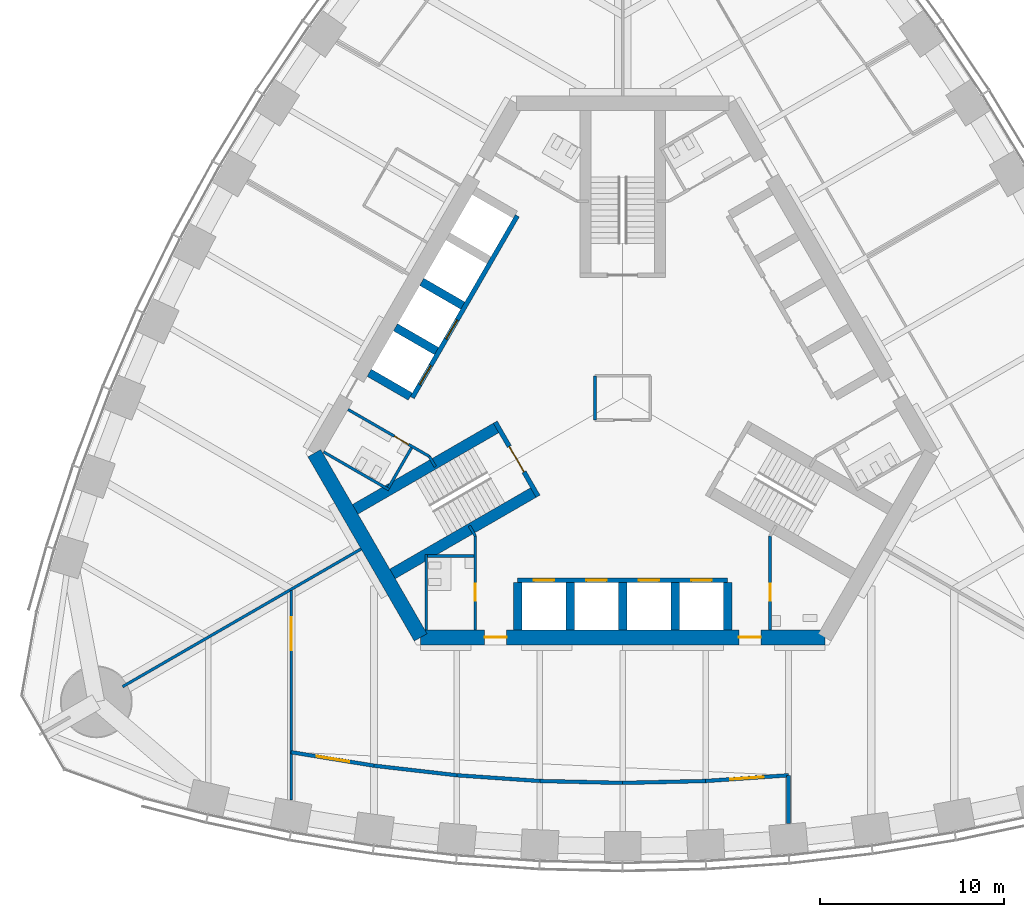
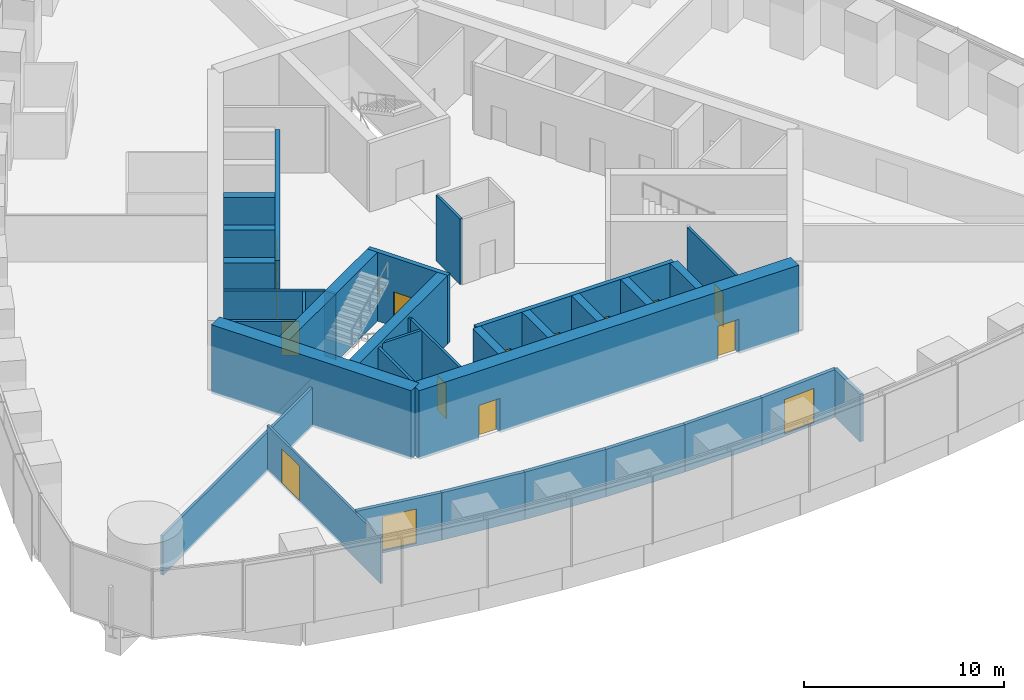
# One storey, part 11 of 18: 34 walls, 15 doors, 15 openings.
"""IFC4 building model written with IfcOpenShell, lengths in metres."""

from ifc_helpers import new_model, si_unit, direction, frame, frame_2d, origin, place, context, subcontext, project, spatial, rectangle, extrude, material, layer, layer_set, type_object, element, fill, save


model = new_model("IFC4")

# Units and contexts
model_context = context("Model", 3, precision=1e-05, world=origin(), true_north=direction((0.0, 1.0)))
body_context = subcontext(model_context, "Body", "Model", "MODEL_VIEW")
ifc_project = project(units=[si_unit("LENGTHUNIT", "METRE"), si_unit("AREAUNIT", "SQUARE_METRE"), si_unit("VOLUMEUNIT", "CUBIC_METRE"), si_unit("PLANEANGLEUNIT", "RADIAN"), si_unit("MASSUNIT", "GRAM", prefix="KILO")], contexts=[model_context])

# Site, building, storey
site_placement = place(None, origin())
site = spatial("IfcSite", under=ifc_project, at=site_placement, CompositionType="ELEMENT")
building_placement = place(site_placement, origin())
building = spatial("IfcBuilding", under=site, at=building_placement, Name="Trefoil Bronze Tower", CompositionType="ELEMENT")
storey_placement = place(building_placement, frame((0.0, 0.0, 198.10009765625)))
storey = spatial("IfcBuildingStorey", under=building, at=storey_placement, Name="L45", CompositionType="ELEMENT", Elevation=198.10009765625)

# Wall
ifc_material_1 = material(Name="Gypsum board on steel studs", Category="steel")
ifc_layer_1 = layer(ifc_material_1, 0.199951171875)
ifc_layer_set_1 = layer_set([ifc_layer_1], Name="Acoustic partition 200")
wall_type_1 = type_object("IfcWallType", Name="Acoustic partition 200", PredefinedType="PARTITIONING", material=ifc_layer_set_1)
wall_1_placement = place(storey_placement, frame((0.0, -20.900634765625, 0.0), z_axis=(0.0, 0.0, 1.0), x_axis=(0.99973552509, 0.022997388381, 0.0)))
element("IfcWall", 1, at=wall_1_placement, inside=storey, type_object=wall_type_1, Name="Partition F1 L45", PredefinedType="PARTITIONING", context=body_context, shape_type="SweptSolid", body=[
    extrude(rectangle(XDim=4.501220703125, YDim=0.199951171875, at=frame_2d((2.25048828125, 0.0))), origin(), (0.0, 0.0, 1.0), 2.89990234375),
])

# Wall, opening, door
wall_2_placement = place(storey_placement, frame((4.5, -20.797119140625, 0.0), z_axis=(0.0, 0.0, 1.0), x_axis=(0.997623533978, 0.068900540297, 0.0)))
wall_2 = element("IfcWall", 2, at=wall_2_placement, inside=storey, type_object=wall_type_1, Name="Partition F1 L45", PredefinedType="PARTITIONING", context=body_context, shape_type="SweptSolid", body=[
    extrude(rectangle(XDim=4.5107421875, YDim=0.199951171875, at=frame_2d((2.25537109375, 0.0))), origin(), (0.0, 0.0, 1.0), 2.89990234375),
])
opening_1_placement = place(wall_2_placement, frame((1.35009765625, 0.0, 0.14990234375)))
opening_1 = element("IfcOpeningElement", 3, at=opening_1_placement, cuts=wall_2, Name="Opening D10", PredefinedType="OPENING", context=body_context, shape_type="SweptSolid", body=[
    extrude(rectangle(XDim=1.800048828125, YDim=2.10009765625, at=frame_2d((0.89990234375, 1.050048828125))), frame((0.0, 0.10986328125, 0.0), z_axis=(0.0, -1.0, 0.0), x_axis=(1.0, 0.0, 0.0)), (0.0, 0.0, 1.0), 0.219970703125),
])
ifc_material_2 = material(Name="Timber door", Category="wood")
door_type_1 = type_object("IfcDoorType", Name="Double door 1800", OperationType="DOUBLE_DOOR_SINGLE_SWING", PredefinedType="DOOR", material=ifc_material_2)
door_1_placement = place(opening_1_placement, origin())
door_1 = element("IfcDoor", 4, at=door_1_placement, inside=storey, type_object=door_type_1, Name="Town hall door F1 L45", OperationType="DOUBLE_DOOR_SINGLE_SWING", OverallHeight=2.10009765625, OverallWidth=1.800048828125, PredefinedType="DOOR", context=body_context, shape_type="SweptSolid", body=[
    extrude(rectangle(XDim=1.800048828125, YDim=2.10009765625, at=frame_2d((0.89990234375, 1.050048828125))), frame((0.0, 0.02490234375, 0.0), z_axis=(0.0, -1.0, 0.0), x_axis=(1.0, 0.0, 0.0)), (0.0, 0.0, 1.0), 0.050048828125),
])
fill(opening_1, door_1)

# Wall
wall_3_placement = place(storey_placement, frame((-13.5, -19.966064453125, 0.0), z_axis=(0.0, 0.0, 1.0), x_axis=(0.993382946625, -0.114849124309, 0.0)))
element("IfcWall", 5, at=wall_3_placement, inside=storey, type_object=wall_type_1, Name="Partition F1 L45", PredefinedType="PARTITIONING", context=body_context, shape_type="SweptSolid", body=[
    extrude(rectangle(XDim=4.530029296875, YDim=0.199951171875, at=frame_2d((2.26513671875, 0.0))), origin(), (0.0, 0.0, 1.0), 2.89990234375),
])

# Wall, opening, door
wall_4_placement = place(storey_placement, frame((-18.0, -19.23291015625, 0.0), z_axis=(0.0, 0.0, 1.0), x_axis=(0.986986525477, -0.160802980469, 0.0)))
wall_4 = element("IfcWall", 6, at=wall_4_placement, inside=storey, type_object=wall_type_1, Name="Partition F1 L45", PredefinedType="PARTITIONING", context=body_context, shape_type="SweptSolid", body=[
    extrude(rectangle(XDim=4.559326171875, YDim=0.199951171875, at=frame_2d((2.27978515625, 0.0))), origin(), (0.0, 0.0, 1.0), 2.89990234375),
])
opening_2_placement = place(wall_4_placement, frame((1.39990234375, 0.0, 0.14990234375)))
opening_2 = element("IfcOpeningElement", 7, at=opening_2_placement, cuts=wall_4, Name="Opening D10", PredefinedType="OPENING", context=body_context, shape_type="SweptSolid", body=[
    extrude(rectangle(XDim=1.800048828125, YDim=2.10009765625, at=frame_2d((0.89990234375, 1.050048828125))), frame((0.0, 0.10986328125, 0.0), z_axis=(0.0, -1.0, 0.0), x_axis=(1.0, 0.0, 0.0)), (0.0, 0.0, 1.0), 0.219970703125),
])
door_2_placement = place(opening_2_placement, origin())
door_2 = element("IfcDoor", 8, at=door_2_placement, inside=storey, type_object=door_type_1, Name="Town hall door F1 L45", OperationType="DOUBLE_DOOR_SINGLE_SWING", OverallHeight=2.10009765625, OverallWidth=1.800048828125, PredefinedType="DOOR", context=body_context, shape_type="SweptSolid", body=[
    extrude(rectangle(XDim=1.800048828125, YDim=2.10009765625, at=frame_2d((0.89990234375, 1.050048828125))), frame((0.0, 0.02490234375, 0.0), z_axis=(0.0, -1.0, 0.0), x_axis=(1.0, 0.0, 0.0)), (0.0, 0.0, 1.0), 0.050048828125),
])
fill(opening_2, door_2)

# Walls
wall_5_placement = place(storey_placement, frame((-4.5, -20.797119140625, 0.0), z_axis=(0.0, 0.0, 1.0), x_axis=(0.99973552509, -0.022997388381, 0.0)))
element("IfcWall", 9, at=wall_5_placement, inside=storey, type_object=wall_type_1, Name="Partition F1 L45", PredefinedType="PARTITIONING", context=body_context, shape_type="SweptSolid", body=[
    extrude(rectangle(XDim=4.501220703125, YDim=0.199951171875, at=frame_2d((2.25048828125, 0.0))), origin(), (0.0, 0.0, 1.0), 2.89990234375),
])
wall_6_placement = place(storey_placement, frame((-9.0, -20.486328125, 0.0), z_axis=(0.0, 0.0, 1.0), x_axis=(0.997623533978, -0.068900540297, 0.0)))
element("IfcWall", 10, at=wall_6_placement, inside=storey, type_object=wall_type_1, Name="Partition F1 L45", PredefinedType="PARTITIONING", context=body_context, shape_type="SweptSolid", body=[
    extrude(rectangle(XDim=4.5107421875, YDim=0.199951171875, at=frame_2d((2.25537109375, 0.0))), origin(), (0.0, 0.0, 1.0), 2.89990234375),
])
wall_7_placement = place(storey_placement, frame((9.0, -20.486328125, 0.0), z_axis=(0.0, 0.0, 1.0), x_axis=(0.0, -1.0, 0.0)))
element("IfcWall", 11, at=wall_7_placement, inside=storey, type_object=wall_type_1, Name="Partition F1 L45", PredefinedType="PARTITIONING", context=body_context, shape_type="SweptSolid", body=[
    extrude(rectangle(XDim=2.61328125, YDim=0.199951171875, at=frame_2d((1.306640625, 0.0))), origin(), (0.0, 0.0, 1.0), 2.89990234375),
])

# Wall, openings, doors
ifc_material_3 = material(Name="Concrete B80", Category="concrete")
ifc_layer_2 = layer(ifc_material_3, 0.800048828125)
ifc_layer_set_2 = layer_set([ifc_layer_2], Name="Core wall 800")
wall_type_2 = type_object("IfcWallType", Name="Core wall 800", PredefinedType="SHEAR", material=ifc_layer_set_2)
wall_8_placement = place(storey_placement, frame((-10.9697265625, -13.0, 0.0), z_axis=(0.0, 0.0, 1.0), x_axis=(1.0, 0.0, 0.0)))
wall_8 = element("IfcWall", 12, at=wall_8_placement, inside=storey, type_object=wall_type_2, Name="Core long wall 1 L45", PredefinedType="SHEAR", context=body_context, shape_type="SweptSolid", body=[
    extrude(rectangle(XDim=21.939453125, YDim=0.800048828125, at=frame_2d((10.9697265625, 0.0))), origin(), (0.0, 0.0, 1.0), 4.199951171875),
])
opening_3_placement = place(wall_8_placement, frame((17.269775390625, 0.0, 0.0)))
opening_3 = element("IfcOpeningElement", 13, at=opening_3_placement, cuts=wall_8, Name="Opening D2", PredefinedType="OPENING", context=body_context, shape_type="SweptSolid", body=[
    extrude(rectangle(XDim=1.199951171875, YDim=2.10009765625, at=frame_2d((0.60009765625, 1.050048828125))), frame((0.0, 0.409912109375, 0.0), z_axis=(0.0, -1.0, 0.0), x_axis=(1.0, 0.0, 0.0)), (0.0, 0.0, 1.0), 0.820068359375),
])
opening_4_placement = place(wall_8_placement, frame((3.4697265625, 0.0, 0.0)))
opening_4 = element("IfcOpeningElement", 14, at=opening_4_placement, cuts=wall_8, Name="Opening D2", PredefinedType="OPENING", context=body_context, shape_type="SweptSolid", body=[
    extrude(rectangle(XDim=1.199951171875, YDim=2.10009765625, at=frame_2d((0.60009765625, 1.050048828125))), frame((0.0, 0.409912109375, 0.0), z_axis=(0.0, -1.0, 0.0), x_axis=(1.0, 0.0, 0.0)), (0.0, 0.0, 1.0), 0.820068359375),
])
ifc_material_4 = material(Name="Steel door", Category="steel")
door_type_2 = type_object("IfcDoorType", Name="Lobby door 1200", OperationType="SINGLE_SWING_RIGHT", PredefinedType="DOOR", material=ifc_material_4)
door_3_placement = place(opening_3_placement, origin())
door_3 = element("IfcDoor", 15, at=door_3_placement, inside=storey, type_object=door_type_2, Name="Lobby door F1+ L45", OperationType="SINGLE_SWING_RIGHT", OverallHeight=2.10009765625, OverallWidth=1.199951171875, PredefinedType="DOOR", context=body_context, shape_type="SweptSolid", body=[
    extrude(rectangle(XDim=1.199951171875, YDim=2.10009765625, at=frame_2d((0.60009765625, 1.050048828125))), frame((0.0, 0.02490234375, 0.0), z_axis=(0.0, -1.0, 0.0), x_axis=(1.0, 0.0, 0.0)), (0.0, 0.0, 1.0), 0.050048828125),
])
fill(opening_3, door_3)
door_4_placement = place(opening_4_placement, origin())
door_4 = element("IfcDoor", 16, at=door_4_placement, inside=storey, type_object=door_type_2, Name="Lobby door F1- L45", OperationType="SINGLE_SWING_LEFT", OverallHeight=2.10009765625, OverallWidth=1.199951171875, PredefinedType="DOOR", context=body_context, shape_type="SweptSolid", body=[
    extrude(rectangle(XDim=1.199951171875, YDim=2.10009765625, at=frame_2d((0.60009765625, 1.050048828125))), frame((0.0, 0.02490234375, 0.0), z_axis=(0.0, -1.0, 0.0), x_axis=(1.0, 0.0, 0.0)), (0.0, 0.0, 1.0), 0.050048828125),
])
fill(opening_4, door_4)

# Wall
wall_9_placement = place(storey_placement, frame((-16.7431640625, -3.0, 0.0), z_axis=(0.0, 0.0, 1.0), x_axis=(0.499995765644, -0.866027848477, 0.0)))
element("IfcWall", 17, at=wall_9_placement, inside=storey, type_object=wall_type_2, Name="Core short wall 3 L45", PredefinedType="SHEAR", context=body_context, shape_type="SweptSolid", body=[
    extrude(rectangle(XDim=11.546875, YDim=0.800048828125, at=frame_2d((5.7734375, 0.0))), origin(), (0.0, 0.0, 1.0), 4.199951171875),
])

# Wall, opening, door
ifc_material_5 = material(Name="Glazed partition", Category="glass")
ifc_layer_3 = layer(ifc_material_5, 0.1201171875)
ifc_layer_set_3 = layer_set([ifc_layer_3], Name="Glazed partition 120")
wall_type_3 = type_object("IfcWallType", Name="Glazed partition 120", PredefinedType="PARTITIONING", material=ifc_layer_set_3)
wall_10_placement = place(storey_placement, frame((-18.0, -10.451416015625, 0.0), z_axis=(0.0, 0.0, 1.0), x_axis=(0.0, -1.0, 0.0)))
wall_10 = element("IfcWall", 18, at=wall_10_placement, inside=storey, type_object=wall_type_3, Name="Partition F1 L45", PredefinedType="PARTITIONING", context=body_context, shape_type="SweptSolid", body=[
    extrude(rectangle(XDim=11.37353515625, YDim=0.1201171875, at=frame_2d((5.686767578125, 0.0))), origin(), (0.0, 0.0, 1.0), 2.7998046875),
])
opening_5_placement = place(wall_10_placement, frame((1.449951171875, 0.0, 0.14990234375)))
opening_5 = element("IfcOpeningElement", 19, at=opening_5_placement, cuts=wall_10, Name="Opening D10", PredefinedType="OPENING", context=body_context, shape_type="SweptSolid", body=[
    extrude(rectangle(XDim=1.800048828125, YDim=2.10009765625, at=frame_2d((0.89990234375, 1.050048828125))), frame((0.0, 0.070068359375, 0.0), z_axis=(0.0, -1.0, 0.0), x_axis=(1.0, 0.0, 0.0)), (0.0, 0.0, 1.0), 0.14013671875),
])
door_5_placement = place(opening_5_placement, origin())
door_5 = element("IfcDoor", 20, at=door_5_placement, inside=storey, type_object=door_type_1, Name="Cafe and kitchen door F1 L45", OperationType="DOUBLE_DOOR_SINGLE_SWING", OverallHeight=2.10009765625, OverallWidth=1.800048828125, PredefinedType="DOOR", context=body_context, shape_type="SweptSolid", body=[
    extrude(rectangle(XDim=1.800048828125, YDim=2.10009765625, at=frame_2d((0.89990234375, 1.050048828125))), frame((0.0, 0.02490234375, 0.0), z_axis=(0.0, -1.0, 0.0), x_axis=(1.0, 0.0, 0.0)), (0.0, 0.0, 1.0), 0.050048828125),
])
fill(opening_5, door_5)

# Walls
ifc_material_6 = material(Name="Concrete B80", Category="concrete")
ifc_layer_4 = layer(ifc_material_6, 0.449951171875)
ifc_layer_set_4 = layer_set([ifc_layer_4], Name="Outrigger shaft wall 450")
wall_type_4 = type_object("IfcWallType", Name="Outrigger shaft wall 450", PredefinedType="SHEAR", material=ifc_layer_set_4)
for number, where, z_axis, x_axis, name in (
    (21, (-5.699951171875, -10.02490234375, 0.0), (0.0, 0.0, 1.0), (0.0, -1.0, 0.0), "Lift shaft side wall A0 L45"),
    (22, (-2.85009765625, -10.02490234375, 0.0), (0.0, 0.0, 1.0), (0.0, -1.0, 0.0), "Lift shaft side wall A1 L45"),
    (23, (0.0, -10.02490234375, 0.0), (0.0, 0.0, 1.0), (0.0, -1.0, 0.0), "Lift shaft side wall A2 L45"),
    (24, (2.85009765625, -10.02490234375, 0.0), (0.0, 0.0, 1.0), (0.0, -1.0, 0.0), "Lift shaft side wall A3 L45"),
    (25, (5.699951171875, -10.02490234375, 0.0), (0.0, 0.0, 1.0), (0.0, -1.0, 0.0), "Lift shaft side wall A4 L45"),
):
    element("IfcWall", number, at=place(storey_placement, frame(where, z_axis=z_axis, x_axis=x_axis)), inside=storey, type_object=wall_type_4, Name=name, PredefinedType="SHEAR", context=body_context, shape_type="SweptSolid", body=[
        extrude(rectangle(XDim=2.5751953125, YDim=0.449951171875, at=frame_2d((1.28759765625, 0.0))), origin(), (0.0, 0.0, 1.0), 4.199951171875),
    ])
for number, where, z_axis, x_axis, name in (
    (26, (-8.681884765625, 5.012451171875, 0.0), (0.0, 0.0, 1.0), (-0.866005588531, 0.500034319456, 0.0), "Lift shaft side wall C2 L45"),
    (27, (-10.10693359375, 2.54443359375, 0.0), (0.0, 0.0, 1.0), (-0.866046643894, 0.499963209246, 0.0), "Lift shaft side wall C3 L45"),
    (28, (-11.531982421875, 0.076171875, 0.0), (0.0, 0.0, 1.0), (-0.866005588531, 0.500034319456, 0.0), "Lift shaft side wall C4 L45"),
):
    element("IfcWall", number, at=place(storey_placement, frame(where, z_axis=z_axis, x_axis=x_axis)), inside=storey, type_object=wall_type_4, Name=name, PredefinedType="SHEAR", context=body_context, shape_type="SweptSolid", body=[
        extrude(rectangle(XDim=2.574951171875, YDim=0.449951171875, at=frame_2d((1.28759765625, 0.0))), origin(), (0.0, 0.0, 1.0), 4.199951171875),
    ])

# Wall, opening, door
ifc_material_7 = material(Name="Gypsum board on steel studs", Category="steel")
ifc_layer_5 = layer(ifc_material_7, 0.14990234375)
ifc_layer_set_5 = layer_set([ifc_layer_5], Name="Partition 150")
wall_type_5 = type_object("IfcWallType", Name="Partition 150", PredefinedType="PARTITIONING", material=ifc_layer_set_5)
wall_11_placement = place(storey_placement, frame((8.0, -7.5, 0.0), z_axis=(0.0, 0.0, 1.0), x_axis=(0.0, -1.0, 0.0)))
wall_11 = element("IfcWall", 29, at=wall_11_placement, inside=storey, type_object=wall_type_5, Name="Passage wall F1+ L45", PredefinedType="PARTITIONING", context=body_context, shape_type="SweptSolid", body=[
    extrude(rectangle(XDim=5.10009765625, YDim=0.14990234375, at=frame_2d((2.550048828125, 0.0))), origin(), (0.0, 0.0, 1.0), 4.0),
])
opening_6_placement = place(wall_11_placement, frame((2.60009765625, 0.0, 0.0)))
opening_6 = element("IfcOpeningElement", 30, at=opening_6_placement, cuts=wall_11, Name="Opening D3", PredefinedType="OPENING", context=body_context, shape_type="SweptSolid", body=[
    extrude(rectangle(XDim=0.89990234375, YDim=2.10009765625, at=frame_2d((0.449951171875, 1.050048828125))), frame((0.0, 0.0849609375, 0.0), z_axis=(0.0, -1.0, 0.0), x_axis=(1.0, 0.0, 0.0)), (0.0, 0.0, 1.0), 0.169921875),
])
ifc_material_8 = material(Name="Timber door", Category="wood")
door_type_3 = type_object("IfcDoorType", Name="WC door 900", OperationType="SINGLE_SWING_LEFT", PredefinedType="DOOR", material=ifc_material_8)
door_6_placement = place(opening_6_placement, origin())
door_6 = element("IfcDoor", 31, at=door_6_placement, inside=storey, type_object=door_type_3, Name="Accessible WC door L45", OperationType="SINGLE_SWING_RIGHT", OverallHeight=2.10009765625, OverallWidth=0.89990234375, PredefinedType="DOOR", context=body_context, shape_type="SweptSolid", body=[
    extrude(rectangle(XDim=0.89990234375, YDim=2.10009765625, at=frame_2d((0.449951171875, 1.050048828125))), frame((0.0, 0.02490234375, 0.0), z_axis=(0.0, -1.0, 0.0), x_axis=(1.0, 0.0, 0.0)), (0.0, 0.0, 1.0), 0.050048828125),
])
fill(opening_6, door_6)

wall_12_placement = place(storey_placement, frame((-8.0, -7.5, 0.0), z_axis=(0.0, 0.0, 1.0), x_axis=(0.0, -1.0, 0.0)))
wall_12 = element("IfcWall", 32, at=wall_12_placement, inside=storey, type_object=wall_type_5, Name="Passage wall F1- L45", PredefinedType="PARTITIONING", context=body_context, shape_type="SweptSolid", body=[
    extrude(rectangle(XDim=5.10009765625, YDim=0.14990234375, at=frame_2d((2.550048828125, 0.0))), origin(), (0.0, 0.0, 1.0), 4.0),
])
opening_7_placement = place(wall_12_placement, frame((2.60009765625, 0.0, 0.0)))
opening_7 = element("IfcOpeningElement", 33, at=opening_7_placement, cuts=wall_12, Name="Opening D3", PredefinedType="OPENING", context=body_context, shape_type="SweptSolid", body=[
    extrude(rectangle(XDim=0.89990234375, YDim=2.10009765625, at=frame_2d((0.449951171875, 1.050048828125))), frame((0.0, 0.0849609375, 0.0), z_axis=(0.0, -1.0, 0.0), x_axis=(1.0, 0.0, 0.0)), (0.0, 0.0, 1.0), 0.169921875),
])
door_7_placement = place(opening_7_placement, frame((0.89990234375, 0.0, 0.0), z_axis=(0.0, 0.0, 1.0), x_axis=(-1.0, 0.0, 0.0)))
door_7 = element("IfcDoor", 34, at=door_7_placement, inside=storey, type_object=door_type_3, Name="WC (women) door L45", OperationType="SINGLE_SWING_RIGHT", OverallHeight=2.10009765625, OverallWidth=0.89990234375, PredefinedType="DOOR", context=body_context, shape_type="SweptSolid", body=[
    extrude(rectangle(XDim=0.89990234375, YDim=2.10009765625, at=frame_2d((0.449951171875, 1.050048828125))), frame((0.0, 0.02490234375, 0.0), z_axis=(0.0, -1.0, 0.0), x_axis=(1.0, 0.0, 0.0)), (0.0, 0.0, 1.0), 0.050048828125),
])
fill(opening_7, door_7)

wall_13_placement = place(storey_placement, frame((-10.4951171875, -3.17822265625, 0.0), z_axis=(0.0, 0.0, 1.0), x_axis=(-0.86602216432, 0.500005610874, 0.0)))
wall_13 = element("IfcWall", 35, at=wall_13_placement, inside=storey, type_object=wall_type_5, Name="Passage wall F3+ L45", PredefinedType="PARTITIONING", context=body_context, shape_type="SweptSolid", body=[
    extrude(rectangle(XDim=5.10009765625, YDim=0.14990234375, at=frame_2d((2.550048828125, 0.0))), origin(), (0.0, 0.0, 1.0), 4.0),
])
opening_8_placement = place(wall_13_placement, frame((1.300048828125, 0.0, 0.0)))
opening_8 = element("IfcOpeningElement", 36, at=opening_8_placement, cuts=wall_13, Name="Opening D3", PredefinedType="OPENING", context=body_context, shape_type="SweptSolid", body=[
    extrude(rectangle(XDim=0.89990234375, YDim=2.10009765625, at=frame_2d((0.449951171875, 1.050048828125))), frame((0.0, 0.0849609375, 0.0), z_axis=(0.0, -1.0, 0.0), x_axis=(1.0, 0.0, 0.0)), (0.0, 0.0, 1.0), 0.169921875),
])
door_8_placement = place(opening_8_placement, origin())
door_8 = element("IfcDoor", 37, at=door_8_placement, inside=storey, type_object=door_type_3, Name="WC (men) door L45", OperationType="SINGLE_SWING_LEFT", OverallHeight=2.10009765625, OverallWidth=0.89990234375, PredefinedType="DOOR", context=body_context, shape_type="SweptSolid", body=[
    extrude(rectangle(XDim=0.89990234375, YDim=2.10009765625, at=frame_2d((0.449951171875, 1.050048828125))), frame((0.0, 0.02490234375, 0.0), z_axis=(0.0, -1.0, 0.0), x_axis=(1.0, 0.0, 0.0)), (0.0, 0.0, 1.0), 0.050048828125),
])
fill(opening_8, door_8)

# Walls
for number, where, z_axis, x_axis, name in (
    (38, (-10.4951171875, -3.17822265625, 0.0), (0.0, 0.0, 1.0), (0.499842556608, -0.866116284689, 0.0), "WC wall ST3-1 L45"),
    (39, (-8.0, -7.5, 0.0), (0.0, 0.0, 1.0), (-0.499842556608, 0.866116284689, 0.0), "WC wall ST3+1 L45"),
):
    element("IfcWall", number, at=place(storey_placement, frame(where, z_axis=z_axis, x_axis=x_axis)), inside=storey, type_object=wall_type_5, Name=name, PredefinedType="PARTITIONING", context=body_context, shape_type="SweptSolid", body=[
        extrude(rectangle(XDim=0.645263671875, YDim=0.14990234375, at=frame_2d((0.32275390625, 0.0))), origin(), (0.0, 0.0, 1.0), 4.0),
    ])
wall_14_placement = place(storey_placement, frame((-12.691162109375, -4.98193359375, 0.0), z_axis=(0.0, 0.0, 1.0), x_axis=(-0.8660249478, 0.500000789788, 0.0)))
element("IfcWall", 40, at=wall_14_placement, inside=storey, type_object=wall_type_5, Name="WC partition WC (men) L45", PredefinedType="PARTITIONING", context=body_context, shape_type="SweptSolid", body=[
    extrude(rectangle(XDim=4.10009765625, YDim=0.14990234375, at=frame_2d((2.050048828125, 0.0))), origin(), (0.0, 0.0, 1.0), 4.0),
])
wall_15_placement = place(storey_placement, frame((-11.463623046875, -2.70556640625, 0.0), z_axis=(0.0, 0.0, 1.0), x_axis=(-0.50001992892, -0.866013897511, 0.0)))
element("IfcWall", 41, at=wall_15_placement, inside=storey, type_object=wall_type_5, Name="WC partition WC (men) L45", PredefinedType="PARTITIONING", context=body_context, shape_type="SweptSolid", body=[
    extrude(rectangle(XDim=2.51025390625, YDim=0.14990234375, at=frame_2d((1.255126953125, 0.0))), origin(), (0.0, 0.0, 1.0), 4.0),
])
wall_16_placement = place(storey_placement, frame((-10.659912109375, -8.5, 0.0), z_axis=(0.0, 0.0, 1.0), x_axis=(0.0, -1.0, 0.0)))
element("IfcWall", 42, at=wall_16_placement, inside=storey, type_object=wall_type_5, Name="WC partition WC (women) L45", PredefinedType="PARTITIONING", context=body_context, shape_type="SweptSolid", body=[
    extrude(rectangle(XDim=4.10009765625, YDim=0.14990234375, at=frame_2d((2.050048828125, 0.0))), origin(), (0.0, 0.0, 1.0), 4.0),
])
wall_17_placement = place(storey_placement, frame((-8.074951171875, -8.574951171875, 0.0), z_axis=(0.0, 0.0, 1.0), x_axis=(-1.0, 0.0, 0.0)))
element("IfcWall", 43, at=wall_17_placement, inside=storey, type_object=wall_type_5, Name="WC partition WC (women) L45", PredefinedType="PARTITIONING", context=body_context, shape_type="SweptSolid", body=[
    extrude(rectangle(XDim=2.510009765625, YDim=0.14990234375, at=frame_2d((1.2548828125, 0.0))), origin(), (0.0, 0.0, 1.0), 4.0),
])
ifc_material_9 = material(Name="Gypsum board on steel studs", Category="steel")
ifc_layer_6 = layer(ifc_material_9, 0.14990234375)
ifc_layer_set_6 = layer_set([ifc_layer_6], Name="Party wall 150")
wall_type_6 = type_object("IfcWallType", Name="Party wall 150", PredefinedType="PARTITIONING", material=ifc_layer_set_6)
wall_18_placement = place(storey_placement, frame((-14.202880859375, -8.199951171875, 0.0), z_axis=(0.0, 0.0, 1.0), x_axis=(-0.866021600284, -0.500006587798, 0.0)))
element("IfcWall", 44, at=wall_18_placement, inside=storey, type_object=wall_type_6, Name="Party wall K3 L45", PredefinedType="PARTITIONING", context=body_context, shape_type="SweptSolid", body=[
    extrude(rectangle(XDim=14.949951171875, YDim=0.14990234375, at=frame_2d((7.47509765625, 0.0))), origin(), (0.0, 0.0, 1.0), 2.39990234375),
])
ifc_material_10 = material(Name="Gypsum board on steel studs", Category="steel")
ifc_layer_7 = layer(ifc_material_10, 0.14990234375)
ifc_layer_set_7 = layer_set([ifc_layer_7], Name="Riser wall 150")
wall_type_7 = type_object("IfcWallType", Name="Riser wall 150", PredefinedType="PARTITIONING", material=ifc_layer_set_7)
wall_19_placement = place(storey_placement, frame((-1.5, 1.199951171875, 0.0), z_axis=(0.0, 0.0, 1.0), x_axis=(0.0, -1.0, 0.0)))
element("IfcWall", 45, at=wall_19_placement, inside=storey, type_object=wall_type_7, Name="Riser wall L45", PredefinedType="PARTITIONING", context=body_context, shape_type="SweptSolid", body=[
    extrude(rectangle(XDim=2.39990234375, YDim=0.14990234375, at=frame_2d((1.199951171875, 0.0))), origin(), (0.0, 0.0, 1.0), 4.0),
])

# Wall, openings, doors
ifc_material_11 = material(Name="Concrete B80", Category="concrete")
ifc_layer_8 = layer(ifc_material_11, 0.25)
ifc_layer_set_8 = layer_set([ifc_layer_8], Name="Shaft wall 250")
wall_type_8 = type_object("IfcWallType", Name="Shaft wall 250", PredefinedType="SHEAR", material=ifc_layer_set_8)
wall_20_placement = place(storey_placement, frame((-5.699951171875, -9.89990234375, 0.0), z_axis=(0.0, 0.0, 1.0), x_axis=(1.0, 0.0, 0.0)))
wall_20 = element("IfcWall", 46, at=wall_20_placement, inside=storey, type_object=wall_type_8, Name="Lift shaft front wall A L45", PredefinedType="SHEAR", context=body_context, shape_type="SweptSolid", body=[
    extrude(rectangle(XDim=11.39990234375, YDim=0.25, at=frame_2d((5.699951171875, 0.0))), origin(), (0.0, 0.0, 1.0), 4.199951171875),
])
opening_9_placement = place(wall_20_placement, frame((0.875, 0.0, 0.0)))
opening_9 = element("IfcOpeningElement", 47, at=opening_9_placement, cuts=wall_20, Name="Opening LD-P31", PredefinedType="OPENING", context=body_context, shape_type="SweptSolid", body=[
    extrude(rectangle(XDim=1.10009765625, YDim=2.199951171875, at=frame_2d((0.550048828125, 1.10009765625))), frame((0.0, 0.135009765625, 0.0), z_axis=(0.0, -1.0, 0.0), x_axis=(1.0, 0.0, 0.0)), (0.0, 0.0, 1.0), 0.27001953125),
])
opening_10_placement = place(wall_20_placement, frame((3.72509765625, 0.0, 0.0)))
opening_10 = element("IfcOpeningElement", 48, at=opening_10_placement, cuts=wall_20, Name="Opening LD-P32", PredefinedType="OPENING", context=body_context, shape_type="SweptSolid", body=[
    extrude(rectangle(XDim=1.10009765625, YDim=2.199951171875, at=frame_2d((0.550048828125, 1.10009765625))), frame((0.0, 0.135009765625, 0.0), z_axis=(0.0, -1.0, 0.0), x_axis=(1.0, 0.0, 0.0)), (0.0, 0.0, 1.0), 0.27001953125),
])
opening_11_placement = place(wall_20_placement, frame((6.574951171875, 0.0, 0.0)))
opening_11 = element("IfcOpeningElement", 49, at=opening_11_placement, cuts=wall_20, Name="Opening LD-P33", PredefinedType="OPENING", context=body_context, shape_type="SweptSolid", body=[
    extrude(rectangle(XDim=1.10009765625, YDim=2.199951171875, at=frame_2d((0.550048828125, 1.10009765625))), frame((0.0, 0.135009765625, 0.0), z_axis=(0.0, -1.0, 0.0), x_axis=(1.0, 0.0, 0.0)), (0.0, 0.0, 1.0), 0.27001953125),
])
opening_12_placement = place(wall_20_placement, frame((9.425048828125, 0.0, 0.0)))
opening_12 = element("IfcOpeningElement", 50, at=opening_12_placement, cuts=wall_20, Name="Opening LD-P34", PredefinedType="OPENING", context=body_context, shape_type="SweptSolid", body=[
    extrude(rectangle(XDim=1.10009765625, YDim=2.199951171875, at=frame_2d((0.550048828125, 1.10009765625))), frame((0.0, 0.135009765625, 0.0), z_axis=(0.0, -1.0, 0.0), x_axis=(1.0, 0.0, 0.0)), (0.0, 0.0, 1.0), 0.27001953125),
])
ifc_material_12 = material(Name="Steel door", Category="steel")
door_type_4 = type_object("IfcDoorType", Name="Lift landing door 1100", OperationType="DOUBLE_DOOR_SLIDING", PredefinedType="DOOR", material=ifc_material_12)
door_9_placement = place(opening_9_placement, origin())
door_9 = element("IfcDoor", 51, at=door_9_placement, inside=storey, type_object=door_type_4, Name="Lift P31 landing door L45", OperationType="DOUBLE_DOOR_SLIDING", OverallHeight=2.199951171875, OverallWidth=1.10009765625, PredefinedType="DOOR", context=body_context, shape_type="SweptSolid", body=[
    extrude(rectangle(XDim=1.10009765625, YDim=2.199951171875, at=frame_2d((0.550048828125, 1.10009765625))), frame((0.0, 0.02490234375, 0.0), z_axis=(0.0, -1.0, 0.0), x_axis=(1.0, 0.0, 0.0)), (0.0, 0.0, 1.0), 0.050048828125),
])
fill(opening_9, door_9)
door_10_placement = place(opening_10_placement, origin())
door_10 = element("IfcDoor", 52, at=door_10_placement, inside=storey, type_object=door_type_4, Name="Lift P32 landing door L45", OperationType="DOUBLE_DOOR_SLIDING", OverallHeight=2.199951171875, OverallWidth=1.10009765625, PredefinedType="DOOR", context=body_context, shape_type="SweptSolid", body=[
    extrude(rectangle(XDim=1.10009765625, YDim=2.199951171875, at=frame_2d((0.550048828125, 1.10009765625))), frame((0.0, 0.02490234375, 0.0), z_axis=(0.0, -1.0, 0.0), x_axis=(1.0, 0.0, 0.0)), (0.0, 0.0, 1.0), 0.050048828125),
])
fill(opening_10, door_10)
door_11_placement = place(opening_11_placement, origin())
door_11 = element("IfcDoor", 53, at=door_11_placement, inside=storey, type_object=door_type_4, Name="Lift P33 landing door L45", OperationType="DOUBLE_DOOR_SLIDING", OverallHeight=2.199951171875, OverallWidth=1.10009765625, PredefinedType="DOOR", context=body_context, shape_type="SweptSolid", body=[
    extrude(rectangle(XDim=1.10009765625, YDim=2.199951171875, at=frame_2d((0.550048828125, 1.10009765625))), frame((0.0, 0.02490234375, 0.0), z_axis=(0.0, -1.0, 0.0), x_axis=(1.0, 0.0, 0.0)), (0.0, 0.0, 1.0), 0.050048828125),
])
fill(opening_11, door_11)
door_12_placement = place(opening_12_placement, origin())
door_12 = element("IfcDoor", 54, at=door_12_placement, inside=storey, type_object=door_type_4, Name="Lift P34 landing door L45", OperationType="DOUBLE_DOOR_SLIDING", OverallHeight=2.199951171875, OverallWidth=1.10009765625, PredefinedType="DOOR", context=body_context, shape_type="SweptSolid", body=[
    extrude(rectangle(XDim=1.10009765625, YDim=2.199951171875, at=frame_2d((0.550048828125, 1.10009765625))), frame((0.0, 0.02490234375, 0.0), z_axis=(0.0, -1.0, 0.0), x_axis=(1.0, 0.0, 0.0)), (0.0, 0.0, 1.0), 0.050048828125),
])
fill(opening_12, door_12)

wall_21_placement = place(storey_placement, frame((-5.7236328125, 9.88623046875, 0.0), z_axis=(0.0, 0.0, 1.0), x_axis=(-0.500001763848, -0.866024385424, 0.0)))
wall_21 = element("IfcWall", 55, at=wall_21_placement, inside=storey, type_object=wall_type_8, Name="Lift shaft front wall C L45", PredefinedType="SHEAR", context=body_context, shape_type="SweptSolid", body=[
    extrude(rectangle(XDim=11.39990234375, YDim=0.25, at=frame_2d((5.699951171875, 0.0))), origin(), (0.0, 0.0, 1.0), 4.199951171875),
])
opening_13_placement = place(wall_21_placement, frame((6.52490234375, 0.0, 0.0)))
opening_13 = element("IfcOpeningElement", 56, at=opening_13_placement, cuts=wall_21, Name="Opening LD-FL1", PredefinedType="OPENING", context=body_context, shape_type="SweptSolid", body=[
    extrude(rectangle(XDim=1.199951171875, YDim=2.199951171875, at=frame_2d((0.60009765625, 1.10009765625))), frame((0.0, 0.135009765625, 0.0), z_axis=(0.0, -1.0, 0.0), x_axis=(1.0, 0.0, 0.0)), (0.0, 0.0, 1.0), 0.27001953125),
])
opening_14_placement = place(wall_21_placement, frame((9.375, 0.0, 0.0)))
opening_14 = element("IfcOpeningElement", 57, at=opening_14_placement, cuts=wall_21, Name="Opening LD-FL2", PredefinedType="OPENING", context=body_context, shape_type="SweptSolid", body=[
    extrude(rectangle(XDim=1.199951171875, YDim=2.199951171875, at=frame_2d((0.60009765625, 1.10009765625))), frame((0.0, 0.135009765625, 0.0), z_axis=(0.0, -1.0, 0.0), x_axis=(1.0, 0.0, 0.0)), (0.0, 0.0, 1.0), 0.27001953125),
])
ifc_material_13 = material(Name="Steel door", Category="steel")
door_type_5 = type_object("IfcDoorType", Name="Lift landing door 1200", OperationType="DOUBLE_DOOR_SLIDING", PredefinedType="DOOR", material=ifc_material_13)
door_13_placement = place(opening_13_placement, origin())
door_13 = element("IfcDoor", 58, at=door_13_placement, inside=storey, type_object=door_type_5, Name="Lift FL1 landing door L45", OperationType="DOUBLE_DOOR_SLIDING", OverallHeight=2.199951171875, OverallWidth=1.199951171875, PredefinedType="DOOR", context=body_context, shape_type="SweptSolid", body=[
    extrude(rectangle(XDim=1.199951171875, YDim=2.199951171875, at=frame_2d((0.60009765625, 1.10009765625))), frame((0.0, 0.02490234375, 0.0), z_axis=(0.0, -1.0, 0.0), x_axis=(1.0, 0.0, 0.0)), (0.0, 0.0, 1.0), 0.050048828125),
])
fill(opening_13, door_13)
door_14_placement = place(opening_14_placement, origin())
door_14 = element("IfcDoor", 59, at=door_14_placement, inside=storey, type_object=door_type_5, Name="Lift FL2 landing door L45", OperationType="DOUBLE_DOOR_SLIDING", OverallHeight=2.199951171875, OverallWidth=1.199951171875, PredefinedType="DOOR", context=body_context, shape_type="SweptSolid", body=[
    extrude(rectangle(XDim=1.199951171875, YDim=2.199951171875, at=frame_2d((0.60009765625, 1.10009765625))), frame((0.0, 0.02490234375, 0.0), z_axis=(0.0, -1.0, 0.0), x_axis=(1.0, 0.0, 0.0)), (0.0, 0.0, 1.0), 0.050048828125),
])
fill(opening_14, door_14)

# Wall, opening, door
wall_22_placement = place(storey_placement, frame((-6.921630859375, -1.3115234375, 0.0), z_axis=(0.0, 0.0, 1.0), x_axis=(0.499984536904, -0.866034331223, 0.0)))
wall_22 = element("IfcWall", 60, at=wall_22_placement, inside=storey, type_object=wall_type_8, Name="Stair end wall ST3 L45", PredefinedType="SHEAR", context=body_context, shape_type="SweptSolid", body=[
    extrude(rectangle(XDim=4.650146484375, YDim=0.25, at=frame_2d((2.3251953125, 0.0))), origin(), (0.0, 0.0, 1.0), 4.199951171875),
])
opening_15_placement = place(wall_22_placement, frame((1.52490234375, 0.0, 0.0)))
opening_15 = element("IfcOpeningElement", 61, at=opening_15_placement, cuts=wall_22, Name="Opening D1", PredefinedType="OPENING", context=body_context, shape_type="SweptSolid", body=[
    extrude(rectangle(XDim=1.60009765625, YDim=2.10009765625, at=frame_2d((0.800048828125, 1.050048828125))), frame((0.0, 0.135009765625, 0.0), z_axis=(0.0, -1.0, 0.0), x_axis=(1.0, 0.0, 0.0)), (0.0, 0.0, 1.0), 0.27001953125),
])
ifc_material_14 = material(Name="Steel door", Category="steel")
door_type_6 = type_object("IfcDoorType", Name="Stair door 1600", OperationType="DOUBLE_DOOR_SINGLE_SWING", PredefinedType="DOOR", material=ifc_material_14)
door_15_placement = place(opening_15_placement, frame((1.60009765625, 0.0, 0.0), z_axis=(0.0, 0.0, 1.0), x_axis=(-1.0, 0.0, 0.0)))
door_15 = element("IfcDoor", 62, at=door_15_placement, inside=storey, type_object=door_type_6, Name="Stair door ST3 L45", OperationType="DOUBLE_DOOR_SINGLE_SWING", OverallHeight=2.10009765625, OverallWidth=1.60009765625, PredefinedType="DOOR", context=body_context, shape_type="SweptSolid", body=[
    extrude(rectangle(XDim=1.60009765625, YDim=2.10009765625, at=frame_2d((0.800048828125, 1.050048828125))), frame((0.0, 0.02490234375, 0.0), z_axis=(0.0, -1.0, 0.0), x_axis=(1.0, 0.0, 0.0)), (0.0, 0.0, 1.0), 0.050048828125),
])
fill(opening_15, door_15)

# Walls
ifc_material_15 = material(Name="Concrete B80", Category="concrete")
ifc_layer_9 = layer(ifc_material_15, 0.60009765625)
ifc_layer_set_9 = layer_set([ifc_layer_9], Name="Stair wall 600")
wall_type_9 = type_object("IfcWallType", Name="Stair wall 600", PredefinedType="SHEAR", material=ifc_layer_set_9)
for number, where, z_axis, x_axis, name in (
    (63, (-6.663330078125, -1.5087890625, 0.0), (0.0, 0.0, 1.0), (-0.866019375473, -0.500010441196, 0.0), "Stair wall ST3 L45"),
    (64, (-4.638427734375, -5.01611328125, 0.0), (0.0, 0.0, 1.0), (-0.866019375473, -0.500010441196, 0.0), "Stair wall ST3 L45"),
):
    element("IfcWall", number, at=place(storey_placement, frame(where, z_axis=z_axis, x_axis=x_axis)), inside=storey, type_object=wall_type_9, Name=name, PredefinedType="SHEAR", context=body_context, shape_type="SweptSolid", body=[
        extrude(rectangle(XDim=9.074951171875, YDim=0.60009765625, at=frame_2d((4.53759765625, 0.0))), origin(), (0.0, 0.0, 1.0), 4.199951171875),
    ])

save(model, "model.ifc")
